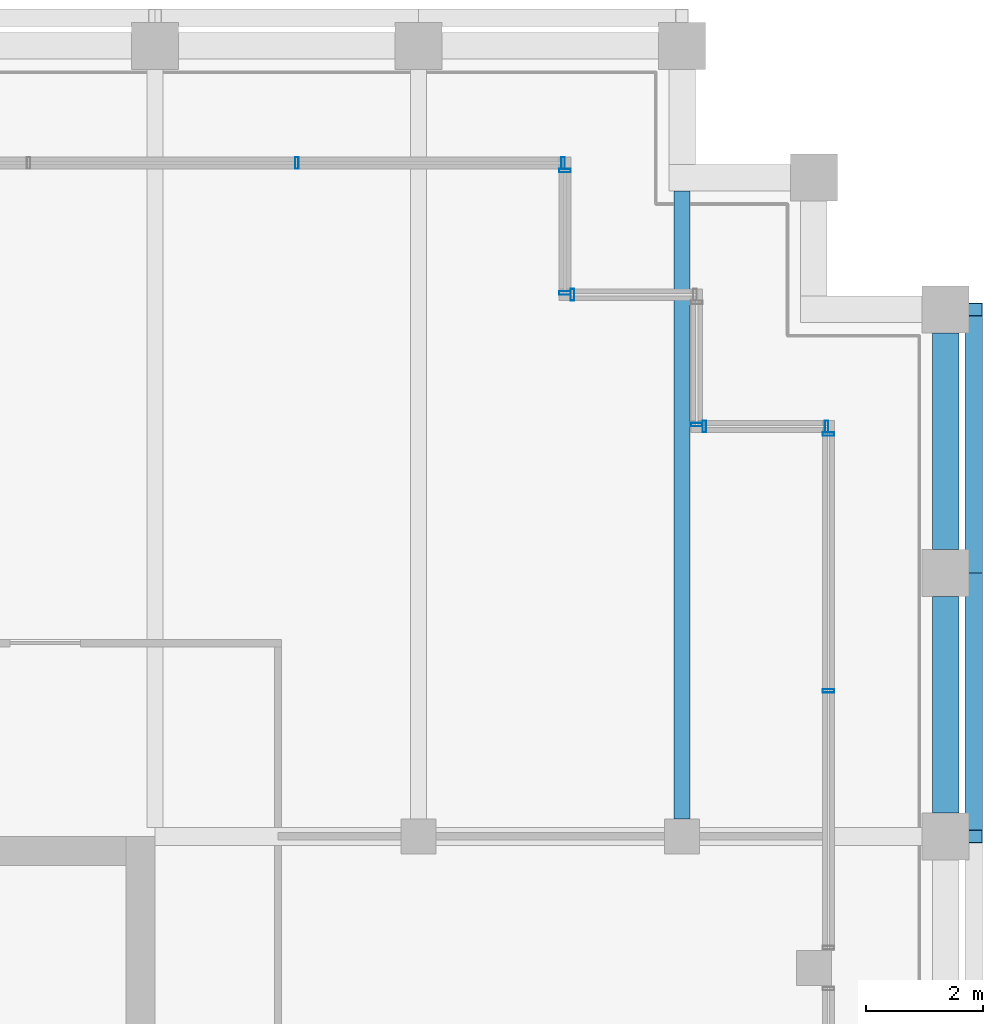
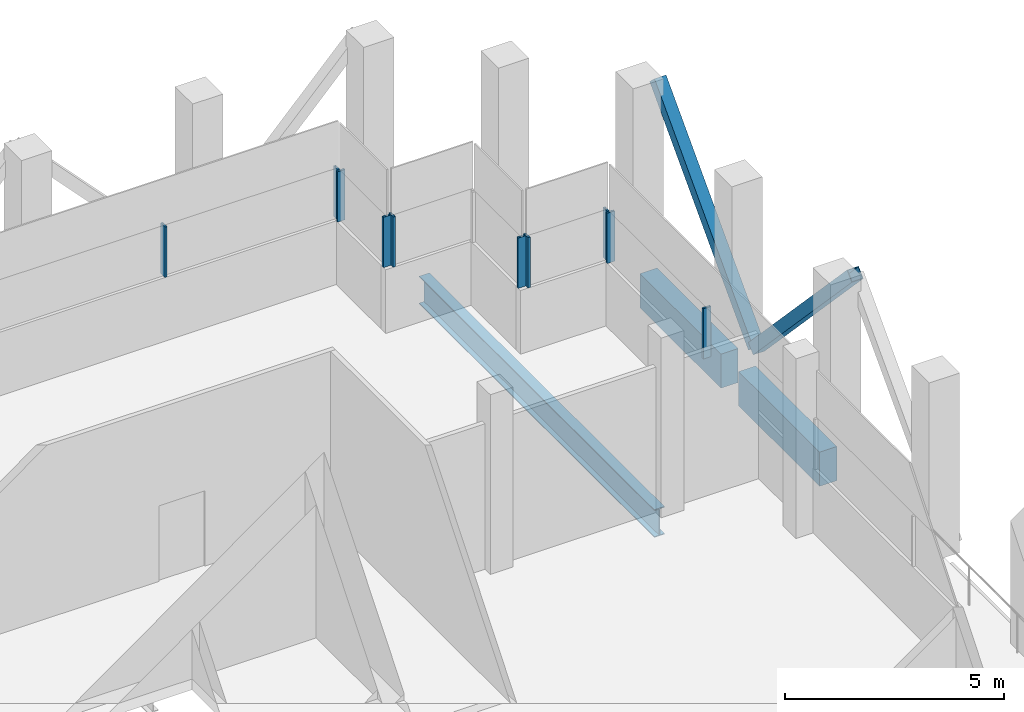
# One storey, part 16 of 21: 12 members, 3 beams, 6 elements without a shape of their own.
"""IFC4 building model written with IfcOpenShell, lengths in metres."""

from ifc_helpers import new_model, si_unit, direction, frame, origin, origin_2d, place, context, subcontext, project, spatial, rectangle, hollow_rectangle, i_section, extrude, material, material_profile, profile_set, type_object, element, aggregate, save


model = new_model("IFC4")

# Units and contexts
model_context = context("Model", 3, precision=1e-05, world=origin(), true_north=direction((0.0, 1.0)))
body_context = subcontext(model_context, "Body", "Model", "MODEL_VIEW")
ifc_project = project(units=[si_unit("LENGTHUNIT", "METRE"), si_unit("AREAUNIT", "SQUARE_METRE"), si_unit("VOLUMEUNIT", "CUBIC_METRE"), si_unit("PLANEANGLEUNIT", "RADIAN"), si_unit("MASSUNIT", "GRAM", prefix="KILO")], contexts=[model_context])

# Site, building, storey
site_placement = place(None, origin())
site = spatial("IfcSite", under=ifc_project, at=site_placement, CompositionType="ELEMENT")
building_placement = place(site_placement, origin())
building = spatial("IfcBuilding", under=site, at=building_placement, Name="Altepetl Exchange Towers", CompositionType="ELEMENT")
storey_placement = place(building_placement, frame((0.0, 0.0, 246.0)))
storey = spatial("IfcBuildingStorey", under=building, at=storey_placement, Name="L63 Refuge", CompositionType="ELEMENT", Elevation=246.0)

# Members
ifc_material_1 = material(Name="Steel S355", Category="steel")
ifc_material_profile_1 = material_profile(ifc_material_1, hollow_rectangle(XDim=0.304931640625, YDim=0.304931640625, WallThickness=0.01171875, at=origin_2d()), Name="HSS305X305X12.7")
ifc_profile_set_1 = profile_set([ifc_material_profile_1], Name="Steel S355")
member_type_1 = type_object("IfcMemberType", Name="Belt diagonal HSS305X305X12.7", PredefinedType="BRACE", material=ifc_profile_set_1)
for number, where, z_axis, x_axis, name in (
    (1, (72.47998046875, 58.5, 4.75), (0.0, 0.687744647911, -0.725952683906), (-1.0, 0.0, 0.0), "brc:A:L63:011"),
    (2, (72.47998046875, 63.0, 0.0), (0.0, 0.687744647911, 0.725952683906), (-1.0, 0.0, 0.0), "brc:A:L63:012"),
):
    element("IfcMember", number, at=place(storey_placement, frame(where, z_axis=z_axis, x_axis=x_axis)), inside=storey, type_object=member_type_1, Name=name, PredefinedType="BRACE", context=body_context, shape_type="SweptSolid", body=[
        extrude(hollow_rectangle(XDim=0.304931640625, YDim=0.304931640625, WallThickness=0.01171875, at=origin_2d()), origin(), (0.0, 0.0, 1.0), 6.543212890625),
    ])

# Beam
ifc_material_profile_2 = material_profile(ifc_material_1, i_section(OverallWidth=0.26806640625, OverallDepth=0.77392578125, WebThickness=0.015380859375, FlangeThickness=0.025390625, at=origin_2d()), Name="W30X132")
ifc_profile_set_2 = profile_set([ifc_material_profile_2], Name="Steel S355")
beam_type_1 = type_object("IfcBeamType", Name="Floor beam W30X132", PredefinedType="BEAM", material=ifc_profile_set_2)
beam_placement = place(storey_placement, frame((67.5, 58.800048828125, -0.5869140625), z_axis=(0.0, 1.0, 0.0), x_axis=(-1.0, 0.0, 0.0)))
element("IfcBeam", 3, at=beam_placement, inside=storey, type_object=beam_type_1, Name="bm:A:L63:005", PredefinedType="BEAM", context=body_context, shape_type="SweptSolid", body=[
    extrude(i_section(OverallWidth=0.26806640625, OverallDepth=0.77392578125, WebThickness=0.015380859375, FlangeThickness=0.025390625, at=origin_2d()), origin(), (0.0, 0.0, 1.0), 10.724853515625),
])

# Curtain wall, members
ifc_material_2 = material(Name="Aluminium 6063-T6 glazing", Category="aluminium")
curtain_wall_type = type_object("IfcCurtainWallType", Name="Refuge slit glazing system", PredefinedType="NOTDEFINED", material=ifc_material_2)
curtain_wall_1_placement = place(storey_placement, origin())
curtain_wall_1 = element("IfcCurtainWall", 4, at=curtain_wall_1_placement, inside=storey, type_object=curtain_wall_type, Name="CW3 run", PredefinedType="NOTDEFINED")
ifc_material_3 = material(Name="Aluminium 6063-T6", Category="aluminium")
ifc_material_profile_3 = material_profile(ifc_material_3, hollow_rectangle(XDim=0.06005859375, YDim=0.199951171875, WallThickness=0.0029296875, at=origin_2d()), Name="Mullion 60x200 aluminium")
ifc_profile_set_3 = profile_set([ifc_material_profile_3], Name="Aluminium 6063-T6")
member_type_2 = type_object("IfcMemberType", Name="Mullion 60x200 aluminium", PredefinedType="MULLION", material=ifc_profile_set_3)
member_1_placement = place(storey_placement, frame((70.0, 60.985107421875, 1.800048828125), z_axis=(0.0, 0.0, 1.0), x_axis=(0.0, 1.0, 0.0)))
member_1 = element("IfcMember", 5, at=member_1_placement, type_object=member_type_2, Name="MU2 mullion", PredefinedType="MULLION", context=body_context, shape_type="SweptSolid", body=[
    extrude(hollow_rectangle(XDim=0.06005859375, YDim=0.199951171875, WallThickness=0.0029296875, at=origin_2d()), origin(), (0.0, 0.0, 1.0), 1.39990234375),
])
member_2_placement = place(storey_placement, frame((70.0, 65.3701171875, 1.800048828125), z_axis=(0.0, 0.0, 1.0), x_axis=(0.0, 1.0, 0.0)))
member_2 = element("IfcMember", 6, at=member_2_placement, type_object=member_type_2, Name="MU2 mullion", PredefinedType="MULLION", context=body_context, shape_type="SweptSolid", body=[
    extrude(hollow_rectangle(XDim=0.06005859375, YDim=0.199951171875, WallThickness=0.0029296875, at=origin_2d()), origin(), (0.0, 0.0, 1.0), 1.39990234375),
])
aggregate(curtain_wall_1, [member_1, member_2])

curtain_wall_2_placement = place(storey_placement, origin())
curtain_wall_2 = element("IfcCurtainWall", 7, at=curtain_wall_2_placement, inside=storey, type_object=curtain_wall_type, Name="CW3 run", PredefinedType="NOTDEFINED")
member_3_placement = place(storey_placement, frame((69.969970703125, 65.5, 1.800048828125), z_axis=(0.0, 0.0, 1.0), x_axis=(-1.0, 0.0, 0.0)))
member_3 = element("IfcMember", 8, at=member_3_placement, type_object=member_type_2, Name="MU2 mullion", PredefinedType="MULLION", context=body_context, shape_type="SweptSolid", body=[
    extrude(hollow_rectangle(XDim=0.06005859375, YDim=0.199951171875, WallThickness=0.0029296875, at=origin_2d()), origin(), (0.0, 0.0, 1.0), 1.39990234375),
])
member_4_placement = place(storey_placement, frame((67.8798828125, 65.5, 1.800048828125), z_axis=(0.0, 0.0, 1.0), x_axis=(-1.0, 0.0, 0.0)))
member_4 = element("IfcMember", 9, at=member_4_placement, type_object=member_type_2, Name="MU2 mullion", PredefinedType="MULLION", context=body_context, shape_type="SweptSolid", body=[
    extrude(hollow_rectangle(XDim=0.06005859375, YDim=0.199951171875, WallThickness=0.0029296875, at=origin_2d()), origin(), (0.0, 0.0, 1.0), 1.39990234375),
])
aggregate(curtain_wall_2, [member_3, member_4])

# Curtain wall, member
curtain_wall_3_placement = place(storey_placement, origin())
curtain_wall_3 = element("IfcCurtainWall", 10, at=curtain_wall_3_placement, inside=storey, type_object=curtain_wall_type, Name="CW3 run", PredefinedType="NOTDEFINED")
member_5_placement = place(storey_placement, frame((67.75, 65.530029296875, 1.800048828125), z_axis=(0.0, 0.0, 1.0), x_axis=(0.0, 1.0, 0.0)))
member_5 = element("IfcMember", 11, at=member_5_placement, type_object=member_type_2, Name="MU2 mullion", PredefinedType="MULLION", context=body_context, shape_type="SweptSolid", body=[
    extrude(hollow_rectangle(XDim=0.06005859375, YDim=0.199951171875, WallThickness=0.0029296875, at=origin_2d()), origin(), (0.0, 0.0, 1.0), 1.39990234375),
])
aggregate(curtain_wall_3, [member_5])

curtain_wall_4_placement = place(storey_placement, origin())
curtain_wall_4 = element("IfcCurtainWall", 12, at=curtain_wall_4_placement, inside=storey, type_object=curtain_wall_type, Name="CW3 run", PredefinedType="NOTDEFINED")
member_6_placement = place(storey_placement, frame((65.6298828125, 67.75, 1.800048828125), z_axis=(0.0, 0.0, 1.0), x_axis=(-1.0, 0.0, 0.0)))
member_6 = element("IfcMember", 13, at=member_6_placement, type_object=member_type_2, Name="MU2 mullion", PredefinedType="MULLION", context=body_context, shape_type="SweptSolid", body=[
    extrude(hollow_rectangle(XDim=0.06005859375, YDim=0.199951171875, WallThickness=0.0029296875, at=origin_2d()), origin(), (0.0, 0.0, 1.0), 1.39990234375),
])
aggregate(curtain_wall_4, [member_6])

# Curtain wall, members
curtain_wall_5_placement = place(storey_placement, origin())
curtain_wall_5 = element("IfcCurtainWall", 14, at=curtain_wall_5_placement, inside=storey, type_object=curtain_wall_type, Name="CW3 run", PredefinedType="NOTDEFINED")
member_7_placement = place(storey_placement, frame((65.5, 67.780029296875, 1.800048828125), z_axis=(0.0, 0.0, 1.0), x_axis=(0.0, 1.0, 0.0)))
member_7 = element("IfcMember", 15, at=member_7_placement, type_object=member_type_2, Name="MU2 mullion", PredefinedType="MULLION", context=body_context, shape_type="SweptSolid", body=[
    extrude(hollow_rectangle(XDim=0.06005859375, YDim=0.199951171875, WallThickness=0.0029296875, at=origin_2d()), origin(), (0.0, 0.0, 1.0), 1.39990234375),
])
member_8_placement = place(storey_placement, frame((65.5, 69.8701171875, 1.800048828125), z_axis=(0.0, 0.0, 1.0), x_axis=(0.0, 1.0, 0.0)))
member_8 = element("IfcMember", 16, at=member_8_placement, type_object=member_type_2, Name="MU2 mullion", PredefinedType="MULLION", context=body_context, shape_type="SweptSolid", body=[
    extrude(hollow_rectangle(XDim=0.06005859375, YDim=0.199951171875, WallThickness=0.0029296875, at=origin_2d()), origin(), (0.0, 0.0, 1.0), 1.39990234375),
])
aggregate(curtain_wall_5, [member_7, member_8])

curtain_wall_6_placement = place(storey_placement, origin())
curtain_wall_6 = element("IfcCurtainWall", 17, at=curtain_wall_6_placement, inside=storey, type_object=curtain_wall_type, Name="CW3 run", PredefinedType="NOTDEFINED")
member_9_placement = place(storey_placement, frame((65.469970703125, 70.0, 1.800048828125), z_axis=(0.0, 0.0, 1.0), x_axis=(-1.0, 0.0, 0.0)))
member_9 = element("IfcMember", 18, at=member_9_placement, type_object=member_type_2, Name="MU2 mullion", PredefinedType="MULLION", context=body_context, shape_type="SweptSolid", body=[
    extrude(hollow_rectangle(XDim=0.06005859375, YDim=0.199951171875, WallThickness=0.0029296875, at=origin_2d()), origin(), (0.0, 0.0, 1.0), 1.39990234375),
])
member_10_placement = place(storey_placement, frame((60.919921875, 70.0, 1.800048828125), z_axis=(0.0, 0.0, 1.0), x_axis=(-1.0, 0.0, 0.0)))
member_10 = element("IfcMember", 19, at=member_10_placement, type_object=member_type_2, Name="MU2 mullion", PredefinedType="MULLION", context=body_context, shape_type="SweptSolid", body=[
    extrude(hollow_rectangle(XDim=0.06005859375, YDim=0.199951171875, WallThickness=0.0029296875, at=origin_2d()), origin(), (0.0, 0.0, 1.0), 1.39990234375),
])
aggregate(curtain_wall_6, [member_9, member_10])

# Beams
ifc_material_4 = material(Name="Concrete C50/60 precast with cantera rosa facing", Category="concrete")
ifc_material_profile_4 = material_profile(ifc_material_4, rectangle(XDim=0.449951171875, YDim=0.949951171875, at=origin_2d()), Name="450 x 950")
ifc_profile_set_4 = profile_set([ifc_material_profile_4], Name="Concrete C50/60 precast with cantera rosa facing")
beam_type_2 = type_object("IfcBeamType", Name="Spandrel beam 450x950 cantera rosa", PredefinedType="SPANDREL", material=ifc_profile_set_4)
for number, where, z_axis, x_axis, name in (
    (20, (72.0, 58.89990234375, -0.675048828125), (0.0, 1.0, 0.0), (-1.0, 0.0, 0.0), "sp:A:L63:018"),
    (21, (72.0, 63.39990234375, -0.675048828125), (0.0, 1.0, 0.0), (-1.0, 0.0, 0.0), "sp:A:L63:019"),
):
    element("IfcBeam", number, at=place(storey_placement, frame(where, z_axis=z_axis, x_axis=x_axis)), inside=storey, type_object=beam_type_2, Name=name, PredefinedType="SPANDREL", context=body_context, shape_type="SweptSolid", body=[
        extrude(rectangle(XDim=0.449951171875, YDim=0.949951171875, at=origin_2d()), origin(), (0.0, 0.0, 1.0), 3.7001953125),
    ])

save(model, "model.ifc")
